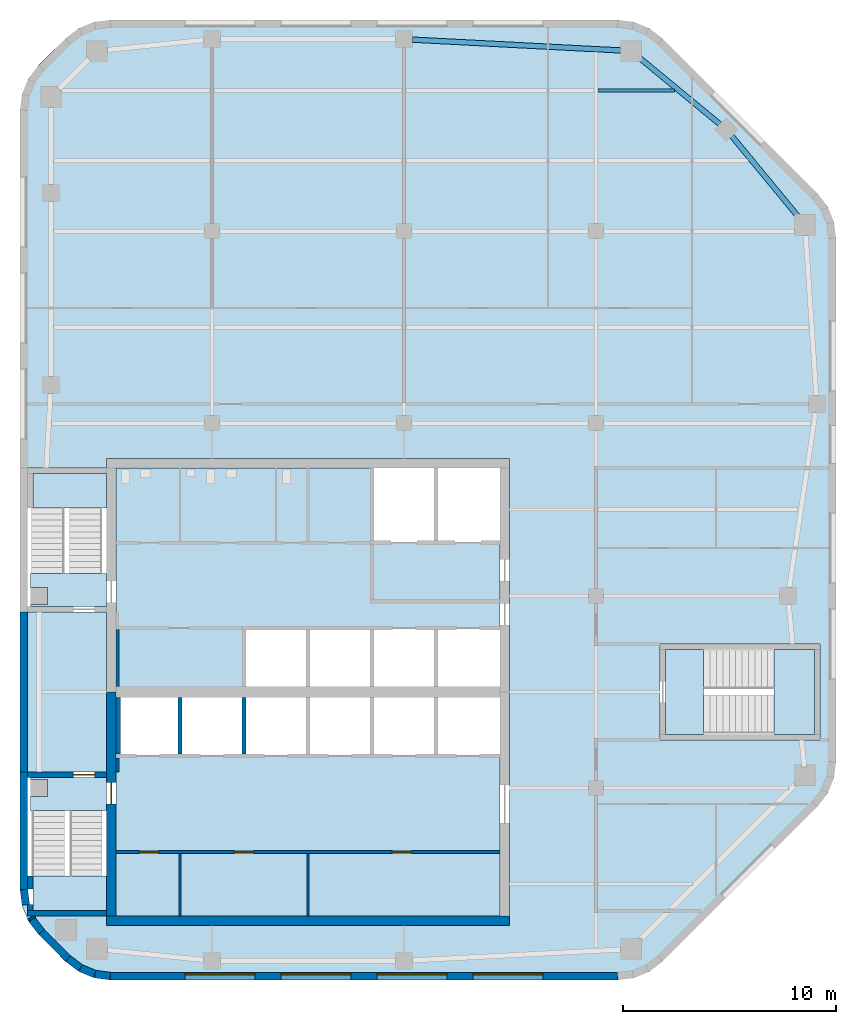
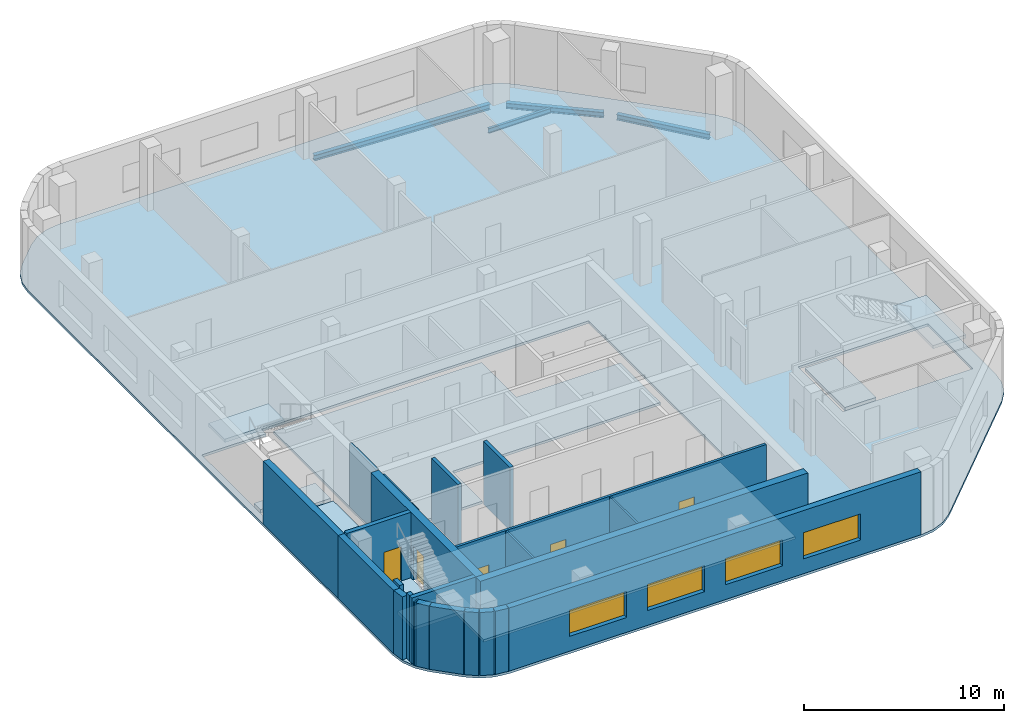
# One storey, part 2 of 7: 24 walls, 9 slabs, 5 doors, 4 beams, 4 windows, 9 openings, 3 elements without a shape of their own.
"""IFC4 building model written with IfcOpenShell, lengths in metres."""

from ifc_helpers import new_model, si_unit, direction, frame, frame_2d, origin, origin_2d, place, context, subcontext, project, spatial, polyline, rectangle, i_section, outline, extrude, material, layer, layer_set, material_profile, profile_set, type_object, element, fill, aggregate, save


model = new_model("IFC4")

# Units and contexts
model_context = context("Model", 3, precision=1e-05, world=origin(), true_north=direction((0.0, 1.0)))
body_context = subcontext(model_context, "Body", "Model", "MODEL_VIEW")
ifc_project = project(units=[si_unit("LENGTHUNIT", "METRE"), si_unit("AREAUNIT", "SQUARE_METRE"), si_unit("VOLUMEUNIT", "CUBIC_METRE"), si_unit("PLANEANGLEUNIT", "RADIAN"), si_unit("MASSUNIT", "GRAM", prefix="KILO")], contexts=[model_context])

# Site, building, storey
site_placement = place(None, origin())
site = spatial("IfcSite", under=ifc_project, at=site_placement, CompositionType="ELEMENT")
building_placement = place(site_placement, origin())
building = spatial("IfcBuilding", under=site, at=building_placement, Name="Cinnabar Reach Civic Tower", CompositionType="ELEMENT")
storey_placement = place(building_placement, frame((0.0, 0.0, 267.0)))
storey = spatial("IfcBuildingStorey", under=building, at=storey_placement, Name="L64", CompositionType="ELEMENT", Elevation=267.0)

# Beams
ifc_material_1 = material(Name="Steel Q355B", Category="steel")
ifc_material_profile_1 = material_profile(ifc_material_1, i_section(OverallWidth=0.25, OverallDepth=0.34, WebThickness=0.009, FlangeThickness=0.014, FilletRadius=0.013, at=origin_2d()), Name="HM340x250x9x14")
ifc_profile_set_1 = profile_set([ifc_material_profile_1], Name="Steel Q355B")
beam_type_1 = type_object("IfcBeamType", Name="HM340x250x9x14 beam R 180", PredefinedType="BEAM", material=ifc_profile_set_1)
for number, where, z_axis, x_axis, name in (
    (1, (36.4818, 53.7801, -0.32), (-0.636303312762, 0.771438976309, 0.0), (-0.771438976309, -0.636303312762, 0.0), "Edge beam T1 L64 9"),
    (2, (32.8486, 58.0822, -0.32), (-0.771438976309, 0.636303312762, 0.0), (-0.636303312762, -0.771438976309, 0.0), "Edge beam T1 L64 10"),
):
    element("IfcBeam", number, at=place(storey_placement, frame(where, z_axis=z_axis, x_axis=x_axis)), inside=storey, type_object=beam_type_1, Name=name, PredefinedType="BEAM", context=body_context, shape_type="SweptSolid", body=[
        extrude(i_section(OverallWidth=0.25, OverallDepth=0.34, WebThickness=0.009, FlangeThickness=0.014, FilletRadius=0.013, at=origin_2d()), origin(), (0.0, 0.0, 1.0), 4.9498),
    ])
beam_1_placement = place(storey_placement, frame((28.2661, 61.5667, -0.32), z_axis=(-0.998653533726, 0.051876001934, 0.0), x_axis=(-0.051876001934, -0.998653533726, 0.0)))
element("IfcBeam", 3, at=beam_1_placement, inside=storey, type_object=beam_type_1, Name="Edge beam T1 L64 11", PredefinedType="BEAM", context=body_context, shape_type="SweptSolid", body=[
    extrude(i_section(OverallWidth=0.25, OverallDepth=0.34, WebThickness=0.009, FlangeThickness=0.014, FilletRadius=0.013, at=origin_2d()), origin(), (0.0, 0.0, 1.0), 9.8774),
])
ifc_material_profile_2 = material_profile(ifc_material_1, i_section(OverallWidth=0.15, OverallDepth=0.3, WebThickness=0.0065, FlangeThickness=0.009, FilletRadius=0.013, at=origin_2d()), Name="HN300x150x6.5x9")
ifc_profile_set_2 = profile_set([ifc_material_profile_2], Name="Steel Q355B")
beam_type_2 = type_object("IfcBeamType", Name="HN300x150x6.5x9 beam R 180", PredefinedType="BEAM", material=ifc_profile_set_2)
beam_2_placement = place(storey_placement, frame((27.102, 59.7, -0.3), z_axis=(1.0, 0.0, 0.0), x_axis=(0.0, 1.0, 0.0)))
element("IfcBeam", 4, at=beam_2_placement, inside=storey, type_object=beam_type_2, Name="Secondary beam T1 L64 19", PredefinedType="BEAM", context=body_context, shape_type="SweptSolid", body=[
    extrude(i_section(OverallWidth=0.15, OverallDepth=0.3, WebThickness=0.0065, FlangeThickness=0.009, FilletRadius=0.013, at=origin_2d()), origin(), (0.0, 0.0, 1.0), 3.5856),
])

# Slab
ifc_material_2 = material(Name="Concrete C40", Category="concrete")
ifc_layer_1 = layer(ifc_material_2, 0.15)
ifc_layer_set_1 = layer_set([ifc_layer_1], Name="Composite floor slab 150 REI 150")
slab_type_1 = type_object("IfcSlabType", Name="Composite floor slab 150 REI 150", PredefinedType="FLOOR", material=ifc_layer_set_1)
slab_1_placement = place(storey_placement, frame((0.0, 0.0, -0.15)))
element("IfcSlab", 5, at=slab_1_placement, inside=storey, type_object=slab_type_1, Name="Composite floor slab 150 T1 L64", PredefinedType="FLOOR", context=body_context, shape_type="SweptSolid", body=[
    extrude(outline(polyline([(0.8787, 20.1213), (0.4019, 20.7426), (0.1022, 21.4662), (0.0, 22.2426), (0.0, 58.7574), (0.1022, 59.5338), (0.4019, 60.2574), (0.8787, 60.8787), (2.1213, 62.1213), (2.7426, 62.5981), (3.4662, 62.8978), (4.2426, 63.0), (28.0074, 63.0), (28.7838, 62.8978), (29.5074, 62.5981), (30.1287, 62.1213), (37.3713, 54.8787), (37.8481, 54.2574), (38.1478, 53.5338), (38.25, 52.7574), (38.25, 28.2426), (38.1478, 27.4662), (37.8481, 26.7426), (37.3713, 26.1213), (30.1287, 18.8787), (29.5074, 18.4019), (28.7838, 18.1022), (28.0074, 18.0), (4.2426, 18.0), (3.4662, 18.1022), (2.7426, 18.4019), (2.1213, 18.8787), (0.8787, 20.1213)]), holes=[polyline([(0.685, 21.0), (4.05, 21.0), (4.05, 20.55), (22.95, 20.55), (22.95, 42.45), (4.05, 42.45), (4.05, 42.0), (0.36, 42.0), (0.36, 35.25), (4.05, 35.25), (4.05, 27.75), (0.36, 27.75), (0.36, 22.2662), (0.453, 21.5602), (0.685, 21.0)]), polyline([(30.0, 33.75), (30.0, 29.25), (37.5, 29.25), (37.5, 33.75), (30.0, 33.75)])]), origin(), (0.0, 0.0, 1.0), 0.15),
])

# Stair, slabs
ifc_material_3 = material(Name="Concrete C40/50", Category="concrete")
stair_type = type_object("IfcStairType", Name="T1 Exit stair, half-turn", PredefinedType="HALF_TURN_STAIR", material=ifc_material_3)
stair_1_placement = place(storey_placement, origin())
stair_1 = element("IfcStair", 6, at=stair_1_placement, inside=storey, type_object=stair_type, Name="Stair T1-S1", PredefinedType="HALF_TURN_STAIR")
ifc_layer_2 = layer(ifc_material_3, 0.2)
ifc_layer_set_2 = layer_set([ifc_layer_2], Name="T1 Stair landing 200, Concrete C40/50")
slab_type_2 = type_object("IfcSlabType", Name="T1 Stair landing 200, Concrete C40/50", PredefinedType="LANDING", material=ifc_layer_set_2)
slab_2_placement = place(storey_placement, frame((0.0, 0.0, -0.2)))
slab_2 = element("IfcSlab", 7, at=slab_2_placement, type_object=slab_type_2, Name="T1-S1 landing 1", PredefinedType="LANDING", context=body_context, shape_type="SweptSolid", body=[
    extrude(outline(polyline([(0.5, 27.5), (4.05, 27.5), (4.05, 25.95), (0.5, 25.95), (0.5, 26.6), (1.3, 26.6), (1.3, 27.4), (0.5, 27.4), (0.5, 27.5)])), origin(), (0.0, 0.0, 1.0), 0.2),
])
slab_3_placement = place(storey_placement, frame((0.0, 0.0, 1.8)))
slab_3 = element("IfcSlab", 8, at=slab_3_placement, type_object=slab_type_2, Name="T1-S1 landing 2", PredefinedType="LANDING", context=body_context, shape_type="SweptSolid", body=[
    extrude(outline(polyline([(0.6, 21.25), (0.6, 22.87), (4.05, 22.87), (4.05, 21.25), (0.6, 21.25)])), origin(), (0.0, 0.0, 1.0), 0.2),
])
aggregate(stair_1, [slab_2, slab_3])

stair_2_placement = place(storey_placement, origin())
stair_2 = element("IfcStair", 9, at=stair_2_placement, inside=storey, type_object=stair_type, Name="Stair T1-S2", PredefinedType="HALF_TURN_STAIR")
slab_4_placement = place(storey_placement, frame((0.0, 0.0, -0.2)))
slab_4 = element("IfcSlab", 10, at=slab_4_placement, type_object=slab_type_2, Name="T1-S2 landing 1", PredefinedType="LANDING", context=body_context, shape_type="SweptSolid", body=[
    extrude(outline(polyline([(0.5, 37.05), (4.05, 37.05), (4.05, 35.5), (0.5, 35.5), (0.5, 35.6), (1.3, 35.6), (1.3, 36.4), (0.5, 36.4), (0.5, 37.05)])), origin(), (0.0, 0.0, 1.0), 0.2),
])
slab_5_placement = place(storey_placement, frame((0.0, 0.0, 1.8)))
slab_5 = element("IfcSlab", 11, at=slab_5_placement, type_object=slab_type_2, Name="T1-S2 landing 2", PredefinedType="LANDING", context=body_context, shape_type="SweptSolid", body=[
    extrude(outline(polyline([(0.6, 40.13), (0.6, 41.75), (4.05, 41.75), (4.05, 40.13), (0.6, 40.13)])), origin(), (0.0, 0.0, 1.0), 0.2),
])
aggregate(stair_2, [slab_4, slab_5])

stair_3_placement = place(storey_placement, origin())
stair_3 = element("IfcStair", 12, at=stair_3_placement, inside=storey, type_object=stair_type, Name="Stair T1-S3", PredefinedType="HALF_TURN_STAIR")
slab_6_placement = place(storey_placement, frame((0.0, 0.0, -0.2)))
slab_6 = element("IfcSlab", 13, at=slab_6_placement, type_object=slab_type_2, Name="T1-S3 landing 1", PredefinedType="LANDING", context=body_context, shape_type="SweptSolid", body=[
    extrude(outline(polyline([(30.25, 29.5), (32.05, 29.5), (32.05, 33.5), (30.25, 33.5), (30.25, 29.5)])), origin(), (0.0, 0.0, 1.0), 0.2),
])
slab_7_placement = place(storey_placement, frame((0.0, 0.0, 1.8)))
slab_7 = element("IfcSlab", 14, at=slab_7_placement, type_object=slab_type_2, Name="T1-S3 landing 2", PredefinedType="LANDING", context=body_context, shape_type="SweptSolid", body=[
    extrude(outline(polyline([(35.35, 29.5), (37.25, 29.5), (37.25, 33.5), (35.35, 33.5), (35.35, 29.5)])), origin(), (0.0, 0.0, 1.0), 0.2),
])
aggregate(stair_3, [slab_6, slab_7])

# Slabs
ifc_layer_3 = layer(ifc_material_3, 0.15)
ifc_layer_set_3 = layer_set([ifc_layer_3], Name="T1 core floor slab 150")
slab_type_3 = type_object("IfcSlabType", Name="T1 core floor slab 150", PredefinedType="FLOOR", material=ifc_layer_set_3)
slab_8_placement = place(storey_placement, frame((0.0, 0.0, -0.15)))
element("IfcSlab", 15, at=slab_8_placement, inside=storey, type_object=slab_type_3, Name="Core floor slab L64", PredefinedType="FLOOR", context=body_context, shape_type="SweptSolid", body=[
    extrude(outline(polyline([(22.5, 21.0), (4.5, 21.0), (4.5, 28.5), (7.5, 28.5), (10.5, 28.5), (13.5, 28.5), (16.5, 28.5), (19.5, 28.5), (22.5, 28.5), (22.5, 21.0)])), origin(), (0.0, 0.0, 1.0), 0.15),
])
slab_9_placement = place(storey_placement, frame((0.0, 0.0, -0.15)))
element("IfcSlab", 16, at=slab_9_placement, inside=storey, type_object=slab_type_3, Name="Core floor slab L64", PredefinedType="FLOOR", context=body_context, shape_type="SweptSolid", body=[
    extrude(outline(polyline([(22.5, 34.5), (19.5, 34.5), (16.5, 34.5), (13.5, 34.5), (10.5, 34.5), (10.5, 31.5), (7.5, 31.5), (4.5, 31.5), (4.5, 42.0), (16.5, 42.0), (16.5, 38.5), (19.5, 38.5), (22.5, 38.5), (22.5, 34.5)])), origin(), (0.0, 0.0, 1.0), 0.15),
])

# Walls
ifc_material_4 = material(Name="Facing brick with insulated backing", Category="masonry")
ifc_layer_4 = layer(ifc_material_4, 0.36)
ifc_layer_set_4 = layer_set([ifc_layer_4], Name="Brick corner wall")
wall_type_1 = type_object("IfcWallType", Name="Brick corner wall", PredefinedType="STANDARD", material=ifc_layer_set_4)
wall_1_placement = place(storey_placement, frame((0.183, 22.2314, 0.0), z_axis=(0.0, 0.0, 1.0), x_axis=(0.13055608231, -0.99144092581, 0.0)))
element("IfcWall", 17, at=wall_1_placement, inside=storey, type_object=wall_type_1, Name="Brick corner wall", PredefinedType="STANDARD", context=body_context, shape_type="SweptSolid", body=[
    extrude(rectangle(XDim=0.7131, YDim=0.36, at=frame_2d((0.3565, 0.0))), origin(), (0.0, 0.0, 1.0), 3.85),
])
wall_2_placement = place(storey_placement, frame((0.5206, 20.9265, 0.0), z_axis=(0.0, 0.0, 1.0), x_axis=(0.382549378284, -0.923935048136, 0.0)))
element("IfcWall", 18, at=wall_2_placement, inside=storey, type_object=wall_type_1, Name="Brick corner wall", PredefinedType="STANDARD", context=body_context, shape_type="SweptSolid", body=[
    extrude(rectangle(XDim=0.0894, YDim=0.36, at=frame_2d((0.0447, 0.0))), origin(), (0.0, 0.0, 1.0), 3.85),
])
for number, where, z_axis, x_axis, name in (
    (19, (0.566, 20.8245, 0.0), (0.0, 0.0, 1.0), (0.608802368033, -0.793321924995, 0.0), "Brick corner wall"),
    (20, (2.2587, 19.0002, 0.0), (0.0, 0.0, 1.0), (0.793321924995, -0.608802368033, 0.0), "Brick corner wall"),
):
    element("IfcWall", number, at=place(storey_placement, frame(where, z_axis=z_axis, x_axis=x_axis)), inside=storey, type_object=wall_type_1, Name=name, PredefinedType="STANDARD", context=body_context, shape_type="SweptSolid", body=[
        extrude(rectangle(XDim=0.7132, YDim=0.36, at=frame_2d((0.3566, 0.0))), origin(), (0.0, 0.0, 1.0), 3.85),
    ])
for number, where, z_axis, x_axis, name in (
    (21, (2.8439, 18.5548, 0.0), (0.0, 0.0, 1.0), (0.923871547278, -0.382702709855, 0.0), "Brick corner wall"),
    (22, (3.5244, 18.2761, 0.0), (0.0, 0.0, 1.0), (0.99144092581, -0.13055608231, 0.0), "Brick corner wall"),
):
    element("IfcWall", number, at=place(storey_placement, frame(where, z_axis=z_axis, x_axis=x_axis)), inside=storey, type_object=wall_type_1, Name=name, PredefinedType="STANDARD", context=body_context, shape_type="SweptSolid", body=[
        extrude(rectangle(XDim=0.7131, YDim=0.36, at=frame_2d((0.3565, 0.0))), origin(), (0.0, 0.0, 1.0), 3.85),
    ])

# Wall, openings, windows
ifc_layer_5 = layer(ifc_material_4, 0.36)
ifc_layer_set_5 = layer_set([ifc_layer_5], Name="Brick pier and spandrel wall")
wall_type_2 = type_object("IfcWallType", Name="Brick pier and spandrel wall", PredefinedType="STANDARD", material=ifc_layer_set_5)
wall_3_placement = place(storey_placement, frame((4.2426, 18.18, 0.0), z_axis=(0.0, 0.0, 1.0), x_axis=(1.0, 0.0, 0.0)))
wall_3 = element("IfcWall", 23, at=wall_3_placement, inside=storey, type_object=wall_type_2, Name="Brick facade wall", PredefinedType="STANDARD", context=body_context, shape_type="SweptSolid", body=[
    extrude(rectangle(XDim=23.7648, YDim=0.36, at=frame_2d((11.8824, 0.0))), origin(), (0.0, 0.0, 1.0), 3.85),
])
opening_1_placement = place(wall_3_placement, frame((3.4824, 0.0, 0.9)))
opening_1 = element("IfcOpeningElement", 24, at=opening_1_placement, cuts=wall_3, Name="Opening W2262", PredefinedType="OPENING", context=body_context, shape_type="SweptSolid", body=[
    extrude(rectangle(XDim=3.3, YDim=1.6, at=frame_2d((1.65, 0.8))), frame((0.0, 0.19, 0.0), z_axis=(0.0, -1.0, 0.0), x_axis=(1.0, 0.0, 0.0)), (0.0, 0.0, 1.0), 0.38),
])
opening_2_placement = place(wall_3_placement, frame((7.9824, 0.0, 0.9)))
opening_2 = element("IfcOpeningElement", 25, at=opening_2_placement, cuts=wall_3, Name="Opening W2263", PredefinedType="OPENING", context=body_context, shape_type="SweptSolid", body=[
    extrude(rectangle(XDim=3.3, YDim=1.6, at=frame_2d((1.65, 0.8))), frame((0.0, 0.19, 0.0), z_axis=(0.0, -1.0, 0.0), x_axis=(1.0, 0.0, 0.0)), (0.0, 0.0, 1.0), 0.38),
])
opening_3_placement = place(wall_3_placement, frame((12.4824, 0.0, 0.9)))
opening_3 = element("IfcOpeningElement", 26, at=opening_3_placement, cuts=wall_3, Name="Opening W2264", PredefinedType="OPENING", context=body_context, shape_type="SweptSolid", body=[
    extrude(rectangle(XDim=3.3, YDim=1.6, at=frame_2d((1.65, 0.8))), frame((0.0, 0.19, 0.0), z_axis=(0.0, -1.0, 0.0), x_axis=(1.0, 0.0, 0.0)), (0.0, 0.0, 1.0), 0.38),
])
opening_4_placement = place(wall_3_placement, frame((16.9824, 0.0, 0.9)))
opening_4 = element("IfcOpeningElement", 27, at=opening_4_placement, cuts=wall_3, Name="Opening W2265", PredefinedType="OPENING", context=body_context, shape_type="SweptSolid", body=[
    extrude(rectangle(XDim=3.3, YDim=1.6, at=frame_2d((1.65, 0.8))), frame((0.0, 0.19, 0.0), z_axis=(0.0, -1.0, 0.0), x_axis=(1.0, 0.0, 0.0)), (0.0, 0.0, 1.0), 0.38),
])
ifc_material_5 = material(Name="Clear double glazing in aluminium frame", Category="aluminium")
window_type = type_object("IfcWindowType", Name="Deep-set window A", PartitioningType="SINGLE_PANEL", PredefinedType="WINDOW", material=ifc_material_5)
window_1_placement = place(opening_1_placement, origin())
window_1 = element("IfcWindow", 28, at=window_1_placement, inside=storey, type_object=window_type, Name="Window south face", OverallHeight=1.6, OverallWidth=3.3, PartitioningType="SINGLE_PANEL", PredefinedType="WINDOW", context=body_context, shape_type="SweptSolid", body=[
    extrude(rectangle(XDim=3.3, YDim=1.6, at=frame_2d((1.65, 0.8))), frame((0.0, 0.13, 0.0), z_axis=(0.0, -1.0, 0.0), x_axis=(1.0, 0.0, 0.0)), (0.0, 0.0, 1.0), 0.06),
])
fill(opening_1, window_1)
window_2_placement = place(opening_2_placement, origin())
window_2 = element("IfcWindow", 29, at=window_2_placement, inside=storey, type_object=window_type, Name="Window south face", OverallHeight=1.6, OverallWidth=3.3, PartitioningType="SINGLE_PANEL", PredefinedType="WINDOW", context=body_context, shape_type="SweptSolid", body=[
    extrude(rectangle(XDim=3.3, YDim=1.6, at=frame_2d((1.65, 0.8))), frame((0.0, 0.13, 0.0), z_axis=(0.0, -1.0, 0.0), x_axis=(1.0, 0.0, 0.0)), (0.0, 0.0, 1.0), 0.06),
])
fill(opening_2, window_2)
window_3_placement = place(opening_3_placement, origin())
window_3 = element("IfcWindow", 30, at=window_3_placement, inside=storey, type_object=window_type, Name="Window south face", OverallHeight=1.6, OverallWidth=3.3, PartitioningType="SINGLE_PANEL", PredefinedType="WINDOW", context=body_context, shape_type="SweptSolid", body=[
    extrude(rectangle(XDim=3.3, YDim=1.6, at=frame_2d((1.65, 0.8))), frame((0.0, 0.13, 0.0), z_axis=(0.0, -1.0, 0.0), x_axis=(1.0, 0.0, 0.0)), (0.0, 0.0, 1.0), 0.06),
])
fill(opening_3, window_3)
window_4_placement = place(opening_4_placement, origin())
window_4 = element("IfcWindow", 31, at=window_4_placement, inside=storey, type_object=window_type, Name="Window south face", OverallHeight=1.6, OverallWidth=3.3, PartitioningType="SINGLE_PANEL", PredefinedType="WINDOW", context=body_context, shape_type="SweptSolid", body=[
    extrude(rectangle(XDim=3.3, YDim=1.6, at=frame_2d((1.65, 0.8))), frame((0.0, 0.13, 0.0), z_axis=(0.0, -1.0, 0.0), x_axis=(1.0, 0.0, 0.0)), (0.0, 0.0, 1.0), 0.06),
])
fill(opening_4, window_4)

# Walls
wall_4_placement = place(storey_placement, frame((0.18, 35.25, 0.0), z_axis=(0.0, 0.0, 1.0), x_axis=(0.0, -1.0, 0.0)))
element("IfcWall", 32, at=wall_4_placement, inside=storey, type_object=wall_type_2, Name="Brick facade wall", PredefinedType="STANDARD", context=body_context, shape_type="SweptSolid", body=[
    extrude(rectangle(XDim=7.5, YDim=0.36, at=frame_2d((3.75, 0.0))), origin(), (0.0, 0.0, 1.0), 3.85),
])
wall_5_placement = place(storey_placement, frame((0.18, 27.75, 0.0), z_axis=(0.0, 0.0, 1.0), x_axis=(0.0, -1.0, 0.0)))
element("IfcWall", 33, at=wall_5_placement, inside=storey, type_object=wall_type_2, Name="Brick facade wall", PredefinedType="STANDARD", context=body_context, shape_type="SweptSolid", body=[
    extrude(rectangle(XDim=5.5074, YDim=0.36, at=frame_2d((2.7537, 0.0))), origin(), (0.0, 0.0, 1.0), 3.85),
])
wall_6_placement = place(storey_placement, frame((1.006, 20.2486, 0.0), z_axis=(0.0, 0.0, 1.0), x_axis=(0.707106781187, -0.707106781187, 0.0)))
element("IfcWall", 34, at=wall_6_placement, inside=storey, type_object=wall_type_2, Name="Brick facade wall", PredefinedType="STANDARD", context=body_context, shape_type="SweptSolid", body=[
    extrude(rectangle(XDim=1.7573, YDim=0.36, at=frame_2d((0.8787, 0.0))), origin(), (0.0, 0.0, 1.0), 3.85),
])
ifc_material_6 = material(Name="Concrete C60", Category="concrete")
ifc_layer_6 = layer(ifc_material_6, 0.45)
ifc_layer_set_6 = layer_set([ifc_layer_6], Name="Core wall 450 EI 180")
wall_type_3 = type_object("IfcWallType", Name="Core wall 450 EI 180", PredefinedType="SOLIDWALL", material=ifc_layer_set_6)
wall_7_placement = place(storey_placement, frame((4.05, 20.775, 0.0), z_axis=(0.0, 0.0, 1.0), x_axis=(1.0, 0.0, 0.0)))
element("IfcWall", 35, at=wall_7_placement, inside=storey, type_object=wall_type_3, Name="Core wall T1 L64 S", PredefinedType="SOLIDWALL", context=body_context, shape_type="SweptSolid", body=[
    extrude(rectangle(XDim=18.9, YDim=0.45, at=frame_2d((9.45, 0.0))), origin(), (0.0, 0.0, 1.0), 4.0),
])

# Wall, opening, door
wall_8_placement = place(storey_placement, frame((4.275, 31.5, 0.0), z_axis=(0.0, 0.0, 1.0), x_axis=(0.0, -1.0, 0.0)))
wall_8 = element("IfcWall", 36, at=wall_8_placement, inside=storey, type_object=wall_type_3, Name="Core wall T1 L64 W2", PredefinedType="SOLIDWALL", context=body_context, shape_type="SweptSolid", body=[
    extrude(rectangle(XDim=10.5, YDim=0.45, at=frame_2d((5.25, 0.0))), origin(), (0.0, 0.0, 1.0), 4.0),
])
opening_5_placement = place(wall_8_placement, frame((4.25, 0.0, 0.0)))
opening_5 = element("IfcOpeningElement", 37, at=opening_5_placement, cuts=wall_8, Name="Opening D5545", PredefinedType="OPENING", context=body_context, shape_type="SweptSolid", body=[
    extrude(rectangle(XDim=1.0, YDim=2.1, at=frame_2d((0.5, 1.05))), frame((0.0, 0.235, 0.0), z_axis=(0.0, -1.0, 0.0), x_axis=(1.0, 0.0, 0.0)), (0.0, 0.0, 1.0), 0.47),
])
ifc_material_7 = material(Name="Timber door leaf in steel frame", Category="steel")
door_type_1 = type_object("IfcDoorType", Name="Stair door 1000 x 2100 T1", OperationType="SINGLE_SWING_LEFT", PredefinedType="DOOR", material=ifc_material_7)
door_1_placement = place(opening_5_placement, frame((1.0, 0.0, 0.0), z_axis=(0.0, 0.0, 1.0), x_axis=(-1.0, 0.0, 0.0)))
door_1 = element("IfcDoor", 38, at=door_1_placement, inside=storey, type_object=door_type_1, Name="Door D5545", OperationType="SINGLE_SWING_RIGHT", OverallHeight=2.1, OverallWidth=1.0, PredefinedType="DOOR", context=body_context, shape_type="SweptSolid", body=[
    extrude(rectangle(XDim=1.0, YDim=2.1, at=frame_2d((0.5, 1.05))), frame((0.0, 0.025, 0.0), z_axis=(0.0, -1.0, 0.0), x_axis=(1.0, 0.0, 0.0)), (0.0, 0.0, 1.0), 0.05),
])
fill(opening_5, door_1)

# Wall, openings, doors
ifc_material_8 = material(Name="Gypsum board on steel studs, double layer", Category="steel")
ifc_layer_7 = layer(ifc_material_8, 0.15)
ifc_layer_set_7 = layer_set([ifc_layer_7], Name="Corridor wall 150 T1")
wall_type_4 = type_object("IfcWallType", Name="Corridor wall 150 T1", PredefinedType="PARTITIONING", material=ifc_layer_set_7)
wall_9_placement = place(storey_placement, frame((4.5, 24.0, 0.0), z_axis=(0.0, 0.0, 1.0), x_axis=(1.0, 0.0, 0.0)))
wall_9 = element("IfcWall", 39, at=wall_9_placement, inside=storey, type_object=wall_type_4, Name="Corridor wall 19", PredefinedType="PARTITIONING", context=body_context, shape_type="SweptSolid", body=[
    extrude(rectangle(XDim=18.0, YDim=0.15, at=frame_2d((9.0, 0.0))), origin(), (0.0, 0.0, 1.0), 3.85),
])
opening_6_placement = place(wall_9_placement, frame((1.1, 0.0, 0.0)))
opening_6 = element("IfcOpeningElement", 40, at=opening_6_placement, cuts=wall_9, Name="Opening D5563", PredefinedType="OPENING", context=body_context, shape_type="SweptSolid", body=[
    extrude(rectangle(XDim=0.9, YDim=2.1, at=frame_2d((0.45, 1.05))), frame((0.0, 0.085, 0.0), z_axis=(0.0, -1.0, 0.0), x_axis=(1.0, 0.0, 0.0)), (0.0, 0.0, 1.0), 0.17),
])
opening_7_placement = place(wall_9_placement, frame((5.55, 0.0, 0.0)))
opening_7 = element("IfcOpeningElement", 41, at=opening_7_placement, cuts=wall_9, Name="Opening D5564", PredefinedType="OPENING", context=body_context, shape_type="SweptSolid", body=[
    extrude(rectangle(XDim=0.9, YDim=2.1, at=frame_2d((0.45, 1.05))), frame((0.0, 0.085, 0.0), z_axis=(0.0, -1.0, 0.0), x_axis=(1.0, 0.0, 0.0)), (0.0, 0.0, 1.0), 0.17),
])
opening_8_placement = place(wall_9_placement, frame((12.95, 0.0, 0.0)))
opening_8 = element("IfcOpeningElement", 42, at=opening_8_placement, cuts=wall_9, Name="Opening D5565", PredefinedType="OPENING", context=body_context, shape_type="SweptSolid", body=[
    extrude(rectangle(XDim=0.9, YDim=2.1, at=frame_2d((0.45, 1.05))), frame((0.0, 0.085, 0.0), z_axis=(0.0, -1.0, 0.0), x_axis=(1.0, 0.0, 0.0)), (0.0, 0.0, 1.0), 0.17),
])
door_type_2 = type_object("IfcDoorType", Name="Single swing door 900 x 2100 corridor T1", OperationType="SINGLE_SWING_LEFT", PredefinedType="DOOR", material=ifc_material_7)
door_2_placement = place(opening_6_placement, frame((0.9, 0.0, 0.0), z_axis=(0.0, 0.0, 1.0), x_axis=(-1.0, 0.0, 0.0)))
door_2 = element("IfcDoor", 43, at=door_2_placement, inside=storey, type_object=door_type_2, Name="Door D5563", OperationType="SINGLE_SWING_RIGHT", OverallHeight=2.1, OverallWidth=0.9, PredefinedType="DOOR", context=body_context, shape_type="SweptSolid", body=[
    extrude(rectangle(XDim=0.9, YDim=2.1, at=frame_2d((0.45, 1.05))), frame((0.0, 0.025, 0.0), z_axis=(0.0, -1.0, 0.0), x_axis=(1.0, 0.0, 0.0)), (0.0, 0.0, 1.0), 0.05),
])
fill(opening_6, door_2)
door_3_placement = place(opening_7_placement, frame((0.9, 0.0, 0.0), z_axis=(0.0, 0.0, 1.0), x_axis=(-1.0, 0.0, 0.0)))
door_3 = element("IfcDoor", 44, at=door_3_placement, inside=storey, type_object=door_type_2, Name="Door D5564", OperationType="SINGLE_SWING_RIGHT", OverallHeight=2.1, OverallWidth=0.9, PredefinedType="DOOR", context=body_context, shape_type="SweptSolid", body=[
    extrude(rectangle(XDim=0.9, YDim=2.1, at=frame_2d((0.45, 1.05))), frame((0.0, 0.025, 0.0), z_axis=(0.0, -1.0, 0.0), x_axis=(1.0, 0.0, 0.0)), (0.0, 0.0, 1.0), 0.05),
])
fill(opening_7, door_3)
door_4_placement = place(opening_8_placement, frame((0.9, 0.0, 0.0), z_axis=(0.0, 0.0, 1.0), x_axis=(-1.0, 0.0, 0.0)))
door_4 = element("IfcDoor", 45, at=door_4_placement, inside=storey, type_object=door_type_2, Name="Door D5565", OperationType="SINGLE_SWING_LEFT", OverallHeight=2.1, OverallWidth=0.9, PredefinedType="DOOR", context=body_context, shape_type="SweptSolid", body=[
    extrude(rectangle(XDim=0.9, YDim=2.1, at=frame_2d((0.45, 1.05))), frame((0.0, 0.025, 0.0), z_axis=(0.0, -1.0, 0.0), x_axis=(1.0, 0.0, 0.0)), (0.0, 0.0, 1.0), 0.05),
])
fill(opening_8, door_4)

# Walls
wall_10_placement = place(storey_placement, frame((4.575, 31.75, 0.0), z_axis=(0.0, 0.0, 1.0), x_axis=(0.0, 1.0, 0.0)))
element("IfcWall", 46, at=wall_10_placement, inside=storey, type_object=wall_type_4, Name="Corridor wall 29", PredefinedType="PARTITIONING", context=body_context, shape_type="SweptSolid", body=[
    extrude(rectangle(XDim=2.675, YDim=0.15, at=frame_2d((1.3375, 0.0))), origin(), (0.0, 0.0, 1.0), 3.85),
])
wall_11_placement = place(storey_placement, frame((4.575, 27.75, 0.0), z_axis=(0.0, 0.0, 1.0), x_axis=(0.0, 1.0, 0.0)))
element("IfcWall", 47, at=wall_11_placement, inside=storey, type_object=wall_type_4, Name="Corridor wall 32", PredefinedType="PARTITIONING", context=body_context, shape_type="SweptSolid", body=[
    extrude(rectangle(XDim=0.65, YDim=0.15, at=frame_2d((0.325, 0.0))), origin(), (0.0, 0.0, 1.0), 3.85),
])
ifc_material_9 = material(Name="Blockwork", Category="masonry")
ifc_layer_8 = layer(ifc_material_9, 0.2)
ifc_layer_set_8 = layer_set([ifc_layer_8], Name="Lift shaft wall 200 T1")
wall_type_5 = type_object("IfcWallType", Name="Lift shaft wall 200 T1", PredefinedType="PARTITIONING", material=ifc_layer_set_8)
for number, where, z_axis, x_axis, name in (
    (48, (10.5, 28.6, 0.0), (0.0, 0.0, 1.0), (0.0, 1.0, 0.0), "Lift shaft wall 6"),
    (49, (4.6, 28.6, 0.0), (0.0, 0.0, 1.0), (0.0, 1.0, 0.0), "Lift shaft wall 16"),
    (50, (7.5, 28.6, 0.0), (0.0, 0.0, 1.0), (0.0, 1.0, 0.0), "Lift shaft wall 17"),
):
    element("IfcWall", number, at=place(storey_placement, frame(where, z_axis=z_axis, x_axis=x_axis)), inside=storey, type_object=wall_type_5, Name=name, PredefinedType="PARTITIONING", context=body_context, shape_type="SweptSolid", body=[
        extrude(rectangle(XDim=2.65, YDim=0.2, at=frame_2d((1.325, 0.0))), origin(), (0.0, 0.0, 1.0), 3.85),
    ])
ifc_material_10 = material(Name="Gypsum board on steel studs", Category="steel")
ifc_layer_9 = layer(ifc_material_10, 0.1)
ifc_layer_set_9 = layer_set([ifc_layer_9], Name="Partition wall 100 T1")
wall_type_6 = type_object("IfcWallType", Name="Partition wall 100 T1", PredefinedType="PARTITIONING", material=ifc_layer_set_9)
for number, where, z_axis, x_axis, name in (
    (51, (7.5, 21.0, 0.0), (0.0, 0.0, 1.0), (0.0, 1.0, 0.0), "Partition wall 50"),
    (52, (13.5, 21.0, 0.0), (0.0, 0.0, 1.0), (0.0, 1.0, 0.0), "Partition wall 51"),
):
    element("IfcWall", number, at=place(storey_placement, frame(where, z_axis=z_axis, x_axis=x_axis)), inside=storey, type_object=wall_type_6, Name=name, PredefinedType="PARTITIONING", context=body_context, shape_type="SweptSolid", body=[
        extrude(rectangle(XDim=2.925, YDim=0.1, at=frame_2d((1.4625, 0.0))), origin(), (0.0, 0.0, 1.0), 3.85),
    ])
ifc_layer_10 = layer(ifc_material_6, 0.25)
ifc_layer_set_10 = layer_set([ifc_layer_10], Name="Stair shaft wall 250 EI 120")
wall_type_7 = type_object("IfcWallType", Name="Stair shaft wall 250 EI 120", PredefinedType="SOLIDWALL", material=ifc_layer_set_10)
wall_12_placement = place(storey_placement, frame((0.36, 21.125, 0.0), z_axis=(0.0, 0.0, 1.0), x_axis=(1.0, 0.0, 0.0)))
element("IfcWall", 53, at=wall_12_placement, inside=storey, type_object=wall_type_7, Name="Stair shaft wall T1-S1 L64", PredefinedType="SOLIDWALL", context=body_context, shape_type="SweptSolid", body=[
    extrude(rectangle(XDim=3.69, YDim=0.25, at=frame_2d((1.845, 0.0))), origin(), (0.0, 0.0, 1.0), 4.0),
])

# Wall, opening, door
wall_13_placement = place(storey_placement, frame((4.05, 27.625, 0.0), z_axis=(0.0, 0.0, 1.0), x_axis=(-1.0, 0.0, 0.0)))
wall_13 = element("IfcWall", 54, at=wall_13_placement, inside=storey, type_object=wall_type_7, Name="Stair shaft wall T1-S1 L64", PredefinedType="SOLIDWALL", context=body_context, shape_type="SweptSolid", body=[
    extrude(rectangle(XDim=3.69, YDim=0.25, at=frame_2d((1.845, 0.0))), origin(), (0.0, 0.0, 1.0), 4.0),
])
opening_9_placement = place(wall_13_placement, frame((0.55, 0.0, 0.0)))
opening_9 = element("IfcOpeningElement", 55, at=opening_9_placement, cuts=wall_13, Name="Opening D5546", PredefinedType="OPENING", context=body_context, shape_type="SweptSolid", body=[
    extrude(rectangle(XDim=1.0, YDim=2.1, at=frame_2d((0.5, 1.05))), frame((0.0, 0.135, 0.0), z_axis=(0.0, -1.0, 0.0), x_axis=(1.0, 0.0, 0.0)), (0.0, 0.0, 1.0), 0.27),
])
door_5_placement = place(opening_9_placement, origin())
door_5 = element("IfcDoor", 56, at=door_5_placement, inside=storey, type_object=door_type_1, Name="Door D5546", OperationType="SINGLE_SWING_RIGHT", OverallHeight=2.1, OverallWidth=1.0, PredefinedType="DOOR", context=body_context, shape_type="SweptSolid", body=[
    extrude(rectangle(XDim=1.0, YDim=2.1, at=frame_2d((0.5, 1.05))), frame((0.0, 0.025, 0.0), z_axis=(0.0, -1.0, 0.0), x_axis=(1.0, 0.0, 0.0)), (0.0, 0.0, 1.0), 0.05),
])
fill(opening_9, door_5)

# Walls
ifc_layer_11 = layer(ifc_material_3, 0.24)
ifc_layer_set_11 = layer_set([ifc_layer_11], Name="T1 landing bearer wall 240")
wall_type_8 = type_object("IfcWallType", Name="T1 landing bearer wall 240", PredefinedType="STANDARD", material=ifc_layer_set_11)
wall_14_placement = place(storey_placement, frame((0.48, 21.25, 0.0), z_axis=(0.0, 0.0, 1.0), x_axis=(0.0, 1.0, 0.0)))
element("IfcWall", 57, at=wall_14_placement, inside=storey, type_object=wall_type_8, Name="T1-S1 landing bearer wall", PredefinedType="STANDARD", context=body_context, shape_type="SweptSolid", body=[
    extrude(rectangle(XDim=0.2854, YDim=0.24, at=frame_2d((0.1427, 0.0))), origin(), (0.0, 0.0, 1.0), 4.0),
])
wall_15_placement = place(storey_placement, frame((0.48, 22.2549, 0.0), z_axis=(0.0, 0.0, 1.0), x_axis=(0.0, 1.0, 0.0)))
element("IfcWall", 58, at=wall_15_placement, inside=storey, type_object=wall_type_8, Name="T1-S1 landing bearer wall", PredefinedType="STANDARD", context=body_context, shape_type="SweptSolid", body=[
    extrude(rectangle(XDim=0.6151, YDim=0.24, at=frame_2d((0.3075, 0.0))), origin(), (0.0, 0.0, 1.0), 4.0),
])

save(model, "model.ifc")
